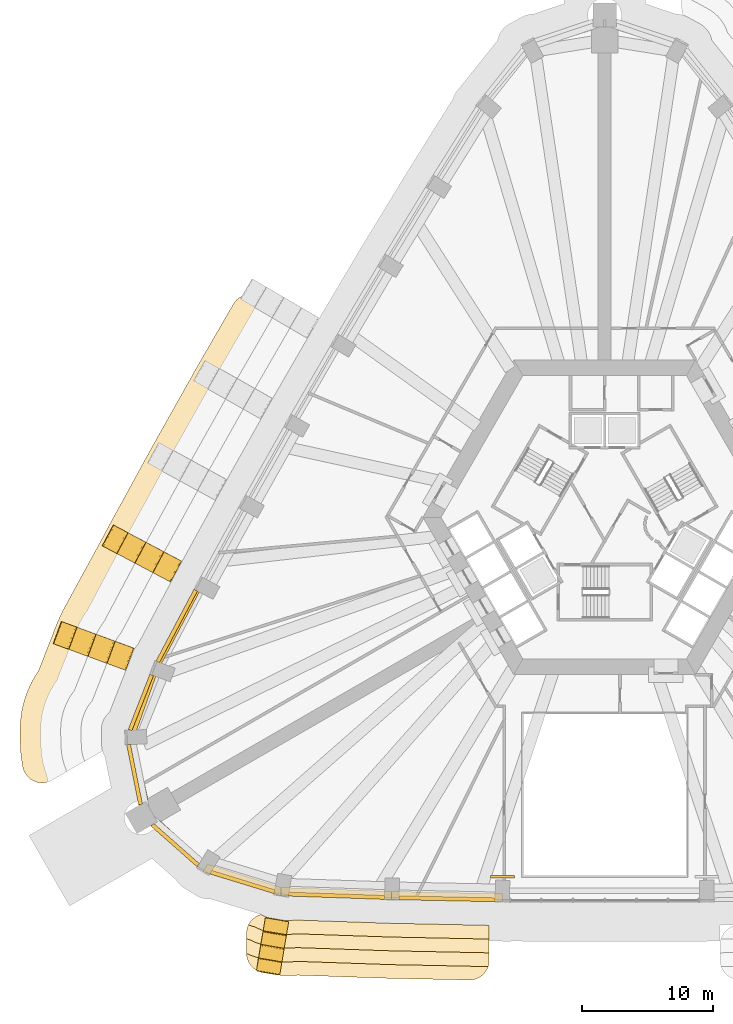
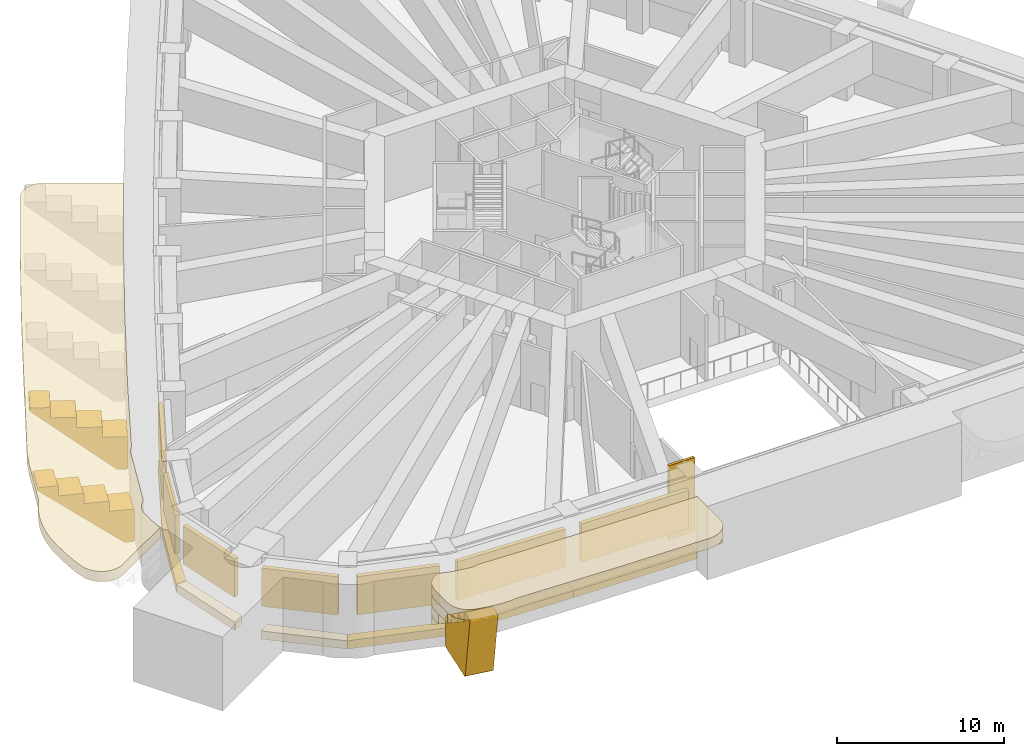
# One storey, part 13 of 20: 16 coverings, 7 shading devices.
"""IFC4 building model written with IfcOpenShell, lengths in metres."""

from ifc_helpers import new_model, si_unit, direction, frame, origin, origin_2d, place, context, subcontext, project, spatial, polyline, rectangle, outline, extrude, material, layer, layer_set, type_object, element, save


model = new_model("IFC4")

# Units and contexts
model_context = context("Model", 3, precision=1e-05, world=origin(), true_north=direction((0.0, 1.0)))
body_context = subcontext(model_context, "Body", "Model", "MODEL_VIEW")
ifc_project = project(units=[si_unit("LENGTHUNIT", "METRE"), si_unit("AREAUNIT", "SQUARE_METRE"), si_unit("VOLUMEUNIT", "CUBIC_METRE"), si_unit("PLANEANGLEUNIT", "RADIAN"), si_unit("MASSUNIT", "GRAM", prefix="KILO")], contexts=[model_context])

# Site, building, storey
site_placement = place(None, origin())
site = spatial("IfcSite", under=ifc_project, at=site_placement, CompositionType="ELEMENT")
building_placement = place(site_placement, origin())
building = spatial("IfcBuilding", under=site, at=building_placement, Name="Entoto Arch Interchange Tower", CompositionType="ELEMENT")
storey_placement = place(building_placement, frame((0.0, 0.0, 184.39990234375)))
storey = spatial("IfcBuildingStorey", under=building, at=storey_placement, Name="L41", CompositionType="ELEMENT", Elevation=184.39990234375)

# Shading devices
ifc_material_1 = material(Name="Aluminium, anodised", Category="aluminium")
ifc_layer = layer(ifc_material_1, 0.300048828125)
ifc_layer_set = layer_set([ifc_layer], Name="Aluminium, anodised")
shading_device_type = type_object("IfcShadingDeviceType", Name="PLANT LOUVRE ALUMINIUM", PredefinedType="JALOUSIE", material=ifc_layer_set)
shading_device_1_placement = place(storey_placement, frame((-20.43408203125, -26.35205078125, 1.2001953125), z_axis=(0.0, 0.0, 1.0), x_axis=(0.999411360835, -0.034306440137, 0.0)))
element("IfcShadingDevice", 1, at=shading_device_1_placement, inside=storey, type_object=shading_device_type, Name="Plant louvre S-01 L41", PredefinedType="JALOUSIE", context=body_context, shape_type="SweptSolid", body=[
    extrude(rectangle(XDim=7.31591796875, YDim=0.300048828125, at=origin_2d()), origin(), (0.0, 0.0, 1.0), 2.800048828125),
])
shading_device_2_placement = place(storey_placement, frame((-12.013916015625, -26.58203125, 1.2001953125), z_axis=(0.0, 0.0, 1.0), x_axis=(0.999796471292, -0.020174637336, 0.0)))
element("IfcShadingDevice", 2, at=shading_device_2_placement, inside=storey, type_object=shading_device_type, Name="Plant louvre S-02 L41", PredefinedType="JALOUSIE", context=body_context, shape_type="SweptSolid", body=[
    extrude(rectangle(XDim=7.333984375, YDim=0.300048828125, at=origin_2d()), origin(), (0.0, 0.0, 1.0), 2.800048828125),
])
shading_device_3_placement = place(storey_placement, frame((-32.6201171875, -5.784912109375, 1.2001953125), z_axis=(0.0, 0.0, 1.0), x_axis=(-0.468685449433, -0.88336512807, 0.0)))
element("IfcShadingDevice", 3, at=shading_device_3_placement, inside=storey, type_object=shading_device_type, Name="Plant louvre NW-07 L41", PredefinedType="JALOUSIE", context=body_context, shape_type="SweptSolid", body=[
    extrude(rectangle(XDim=6.18310546875, YDim=0.300048828125, at=origin_2d()), origin(), (0.0, 0.0, 1.0), 2.800048828125),
])
shading_device_4_placement = place(storey_placement, frame((-35.35400390625, -11.616943359375, 1.2001953125), z_axis=(0.0, 0.0, 1.0), x_axis=(-0.36481178349, -0.931081286799, 0.0)))
element("IfcShadingDevice", 4, at=shading_device_4_placement, inside=storey, type_object=shading_device_type, Name="Plant louvre SW-01 L41", PredefinedType="JALOUSIE", context=body_context, shape_type="SweptSolid", body=[
    extrude(rectangle(XDim=4.511962890625, YDim=0.300048828125, at=origin_2d()), origin(), (0.0, 0.0, 1.0), 2.800048828125),
])
shading_device_5_placement = place(storey_placement, frame((-35.8349609375, -17.10205078125, 1.2001953125), z_axis=(0.0, 0.0, 1.0), x_axis=(0.197486247774, -0.980305657405, 0.0)))
element("IfcShadingDevice", 5, at=shading_device_5_placement, inside=storey, type_object=shading_device_type, Name="Plant louvre SW-02 L41", PredefinedType="JALOUSIE", context=body_context, shape_type="SweptSolid", body=[
    extrude(rectangle(XDim=4.658935546875, YDim=0.300048828125, at=origin_2d()), origin(), (0.0, 0.0, 1.0), 2.800048828125),
])
shading_device_6_placement = place(storey_placement, frame((-32.72802734375, -22.48291015625, 1.2001953125), z_axis=(0.0, 0.0, 1.0), x_axis=(0.750238018569, -0.66116784215, 0.0)))
element("IfcShadingDevice", 6, at=shading_device_6_placement, inside=storey, type_object=shading_device_type, Name="Plant louvre SW-03 L41", PredefinedType="JALOUSIE", context=body_context, shape_type="SweptSolid", body=[
    extrude(rectangle(XDim=4.659912109375, YDim=0.300048828125, at=origin_2d()), origin(), (0.0, 0.0, 1.0), 2.800048828125),
])
shading_device_7_placement = place(storey_placement, frame((-27.595947265625, -25.300048828125, 1.2001953125), z_axis=(0.0, 0.0, 1.0), x_axis=(0.955895596002, -0.293706672624, 0.0)))
element("IfcShadingDevice", 7, at=shading_device_7_placement, inside=storey, type_object=shading_device_type, Name="Plant louvre SW-04 L41", PredefinedType="JALOUSIE", context=body_context, shape_type="SweptSolid", body=[
    extrude(rectangle(XDim=5.070068359375, YDim=0.300048828125, at=origin_2d()), origin(), (0.0, 0.0, 1.0), 2.800048828125),
])

# Coverings
ifc_material_2 = material(Name="Board-marked precast concrete C50/60", Category="concrete")
covering_type_1 = type_object("IfcCoveringType", Name="PRECAST FRAME COURSE", PredefinedType="CLADDING", material=ifc_material_2)
covering_1_placement = place(storey_placement, frame((0.0, 0.0, 4.050048828125)))
element("IfcCovering", 8, at=covering_1_placement, inside=storey, type_object=covering_type_1, Name="Cantilever cornice L41 1", PredefinedType="CLADDING", context=body_context, shape_type="SweptSolid", body=[
    extrude(outline(polyline([(-8.830078125, -31.56689453125), (-8.865966796875, -31.7119140625), (-8.9169921875, -31.85205078125), (-8.98193359375, -31.987060546875), (-9.05908203125, -32.114013671875), (-9.14892578125, -32.23291015625), (-9.25, -32.343017578125), (-9.362060546875, -32.44189453125), (-9.48291015625, -32.529052734375), (-9.612060546875, -32.60400390625), (-9.748046875, -32.666015625), (-9.888916015625, -32.714111328125), (-10.033935546875, -32.7470703125), (-10.181884765625, -32.76611328125), (-10.3310546875, -32.77099609375), (-15.702880859375, -32.658935546875), (-15.717041015625, -32.658935546875), (-15.73095703125, -32.658935546875), (-15.837890625, -32.660888671875), (-15.912109375, -32.659912109375), (-16.424072265625, -32.64404296875), (-16.972900390625, -32.626953125), (-16.97509765625, -32.6259765625), (-16.989990234375, -32.6259765625), (-16.991943359375, -32.6259765625), (-23.360107421875, -32.406005859375), (-23.402099609375, -32.404052734375), (-23.443115234375, -32.406982421875), (-23.888916015625, -32.44189453125), (-24.035888671875, -32.446044921875), (-24.47802734375, -32.43603515625), (-24.625, -32.426025390625), (-24.791015625, -32.406005859375), (-25.09912109375, -32.367919921875), (-25.172119140625, -32.35791015625), (-26.054931640625, -32.20703125), (-26.201904296875, -32.175048828125), (-26.343994140625, -32.126953125), (-26.48095703125, -32.06591796875), (-26.612060546875, -31.991943359375), (-26.73388671875, -31.905029296875), (-26.846923828125, -31.805908203125), (-26.948974609375, -31.696044921875), (-27.0400390625, -31.575927734375), (-27.118896484375, -31.448974609375), (-27.18408203125, -31.31298828125), (-27.236083984375, -31.172119140625), (-27.27294921875, -31.027099609375), (-27.294921875, -30.87890625), (-27.302978515625, -30.72900390625), (-27.302978515625, -29.218994140625), (-27.2958984375, -29.076904296875), (-27.27587890625, -28.93603515625), (-27.241943359375, -28.797119140625), (-27.196044921875, -28.6630859375), (-27.136962890625, -28.532958984375), (-27.06591796875, -28.409912109375), (-26.98388671875, -28.2939453125), (-26.89111328125, -28.18603515625), (-26.7880859375, -28.0869140625), (-26.676025390625, -27.9990234375), (-26.556884765625, -27.922119140625), (-26.429931640625, -27.85595703125), (-26.298095703125, -27.802978515625), (-26.221923828125, -27.780029296875), (-26.197998046875, -27.77197265625), (-26.22802734375, -27.760986328125), (-26.193115234375, -27.77197265625), (-26.169921875, -27.7880859375), (-26.01611328125, -27.875), (-25.85400390625, -27.946044921875), (-25.68603515625, -28.0009765625), (-25.513916015625, -28.0390625), (-24.429931640625, -28.22412109375), (-24.25390625, -28.2451171875), (-24.077880859375, -28.2490234375), (-23.90087890625, -28.235107421875), (-23.72802734375, -28.205078125), (-23.68310546875, -28.19189453125), (-16.845947265625, -28.427978515625), (-16.841064453125, -28.428955078125), (-16.291015625, -28.446044921875), (-15.740966796875, -28.464111328125), (-15.576904296875, -28.4609375), (-8.800048828125, -28.60205078125), (-8.800048828125, -28.638916015625), (-8.800048828125, -31.27099609375), (-8.806884765625, -31.419921875), (-8.830078125, -31.56689453125)])), origin(), (0.0, 0.0, 1.0), 0.75),
])
covering_2_placement = place(storey_placement, frame((0.0, 0.0, 3.300048828125)))
element("IfcCovering", 9, at=covering_2_placement, inside=storey, type_object=covering_type_1, Name="Cantilever cornice L41 2", PredefinedType="CLADDING", context=body_context, shape_type="SweptSolid", body=[
    extrude(outline(polyline([(-8.830078125, -31.56689453125), (-8.865966796875, -31.7119140625), (-8.8798828125, -31.7509765625), (-15.681884765625, -31.60888671875), (-15.841064453125, -31.612060546875), (-16.39111328125, -31.594970703125), (-16.94091796875, -31.576904296875), (-16.955078125, -31.576904296875), (-23.45703125, -31.35205078125), (-23.507080078125, -31.361083984375), (-23.990966796875, -31.39794921875), (-24.47705078125, -31.386962890625), (-24.958984375, -31.3291015625), (-26.0439453125, -31.14404296875), (-26.51806640625, -31.0390625), (-26.97998046875, -30.887939453125), (-27.302001953125, -30.74609375), (-27.302978515625, -30.72900390625), (-27.302978515625, -29.218994140625), (-27.2958984375, -29.076904296875), (-27.27587890625, -28.93603515625), (-27.241943359375, -28.797119140625), (-27.196044921875, -28.6630859375), (-27.136962890625, -28.532958984375), (-27.06591796875, -28.409912109375), (-26.98388671875, -28.2939453125), (-26.89111328125, -28.18603515625), (-26.7880859375, -28.0869140625), (-26.676025390625, -27.9990234375), (-26.556884765625, -27.922119140625), (-26.429931640625, -27.85595703125), (-26.298095703125, -27.802978515625), (-26.221923828125, -27.780029296875), (-26.197998046875, -27.77197265625), (-26.22802734375, -27.760986328125), (-26.193115234375, -27.77197265625), (-26.169921875, -27.7880859375), (-26.01611328125, -27.875), (-25.85400390625, -27.946044921875), (-25.68603515625, -28.0009765625), (-25.513916015625, -28.0390625), (-24.429931640625, -28.22412109375), (-24.25390625, -28.2451171875), (-24.077880859375, -28.2490234375), (-23.90087890625, -28.235107421875), (-23.72802734375, -28.205078125), (-23.68310546875, -28.19189453125), (-16.845947265625, -28.427978515625), (-16.841064453125, -28.428955078125), (-16.291015625, -28.446044921875), (-15.740966796875, -28.464111328125), (-15.576904296875, -28.4609375), (-8.800048828125, -28.60205078125), (-8.800048828125, -28.638916015625), (-8.800048828125, -31.27099609375), (-8.806884765625, -31.419921875), (-8.830078125, -31.56689453125)])), origin(), (0.0, 0.0, 1.0), 0.75),
])
covering_3_placement = place(storey_placement, frame((0.0, 0.0, 2.550048828125)))
element("IfcCovering", 10, at=covering_3_placement, inside=storey, type_object=covering_type_1, Name="Cantilever cornice L41 3", PredefinedType="CLADDING", context=body_context, shape_type="SweptSolid", body=[
    extrude(outline(polyline([(-27.2958984375, -29.076904296875), (-27.27587890625, -28.93603515625), (-27.241943359375, -28.797119140625), (-27.196044921875, -28.6630859375), (-27.136962890625, -28.532958984375), (-27.06591796875, -28.409912109375), (-26.98388671875, -28.2939453125), (-26.89111328125, -28.18603515625), (-26.7880859375, -28.0869140625), (-26.676025390625, -27.9990234375), (-26.556884765625, -27.922119140625), (-26.429931640625, -27.85595703125), (-26.298095703125, -27.802978515625), (-26.221923828125, -27.780029296875), (-26.197998046875, -27.77197265625), (-26.22802734375, -27.760986328125), (-26.193115234375, -27.77197265625), (-26.169921875, -27.7880859375), (-26.01611328125, -27.875), (-25.85400390625, -27.946044921875), (-25.68603515625, -28.0009765625), (-25.513916015625, -28.0390625), (-24.429931640625, -28.22412109375), (-24.25390625, -28.2451171875), (-24.077880859375, -28.2490234375), (-23.90087890625, -28.235107421875), (-23.72802734375, -28.205078125), (-23.68310546875, -28.19189453125), (-16.845947265625, -28.427978515625), (-16.841064453125, -28.428955078125), (-16.291015625, -28.446044921875), (-15.740966796875, -28.464111328125), (-15.576904296875, -28.4609375), (-8.800048828125, -28.60205078125), (-8.800048828125, -28.638916015625), (-8.800048828125, -30.701904296875), (-15.64697265625, -30.56005859375), (-15.80810546875, -30.56201171875), (-16.35791015625, -30.544921875), (-16.907958984375, -30.528076171875), (-16.91796875, -30.527099609375), (-23.52490234375, -30.299072265625), (-23.638916015625, -30.319091796875), (-24.02001953125, -30.347900390625), (-24.403076171875, -30.340087890625), (-24.782958984375, -30.2939453125), (-25.866943359375, -30.10888671875), (-26.240966796875, -30.02587890625), (-26.60498046875, -29.906982421875), (-26.955078125, -29.7529296875), (-27.027099609375, -29.7119140625), (-27.302978515625, -29.6279296875), (-27.302978515625, -29.218994140625), (-27.2958984375, -29.076904296875)])), origin(), (0.0, 0.0, 1.0), 0.75),
])
covering_4_placement = place(storey_placement, frame((0.0, 0.0, 1.800048828125)))
element("IfcCovering", 11, at=covering_4_placement, inside=storey, type_object=covering_type_1, Name="Cantilever cornice L41 4", PredefinedType="CLADDING", context=body_context, shape_type="SweptSolid", body=[
    extrude(outline(polyline([(-27.06591796875, -28.409912109375), (-26.98388671875, -28.2939453125), (-26.89111328125, -28.18603515625), (-26.7880859375, -28.0869140625), (-26.676025390625, -27.9990234375), (-26.556884765625, -27.922119140625), (-26.429931640625, -27.85595703125), (-26.298095703125, -27.802978515625), (-26.221923828125, -27.780029296875), (-26.197998046875, -27.77197265625), (-26.22802734375, -27.760986328125), (-26.193115234375, -27.77197265625), (-26.169921875, -27.7880859375), (-26.01611328125, -27.875), (-25.85400390625, -27.946044921875), (-25.68603515625, -28.0009765625), (-25.513916015625, -28.0390625), (-24.429931640625, -28.22412109375), (-24.25390625, -28.2451171875), (-24.077880859375, -28.2490234375), (-23.90087890625, -28.235107421875), (-23.72802734375, -28.205078125), (-23.68310546875, -28.19189453125), (-16.845947265625, -28.427978515625), (-16.841064453125, -28.428955078125), (-16.291015625, -28.446044921875), (-15.740966796875, -28.464111328125), (-15.576904296875, -28.4609375), (-8.800048828125, -28.60205078125), (-8.800048828125, -28.638916015625), (-8.800048828125, -29.652099609375), (-15.612060546875, -29.510009765625), (-15.77490234375, -29.512939453125), (-16.323974609375, -29.49609375), (-16.8740234375, -29.47802734375), (-16.882080078125, -29.47802734375), (-23.593017578125, -29.24609375), (-23.77001953125, -29.277099609375), (-24.049072265625, -29.298095703125), (-24.327880859375, -29.2919921875), (-24.60595703125, -29.259033203125), (-25.69091796875, -29.073974609375), (-25.964111328125, -29.012939453125), (-26.22900390625, -28.926025390625), (-26.485107421875, -28.81396484375), (-26.615966796875, -28.739990234375), (-27.156005859375, -28.573974609375), (-27.136962890625, -28.532958984375), (-27.06591796875, -28.409912109375)])), origin(), (0.0, 0.0, 1.0), 0.75),
])
covering_5_placement = place(storey_placement, frame((-26.028076171875, -29.01611328125, 1.800048828125), z_axis=(-0.98573684568, 0.168266301807, 0.003053317114), x_axis=(0.002791352659, -0.001793354582, 0.9999944961)))
element("IfcCovering", 12, at=covering_5_placement, inside=storey, type_object=covering_type_1, Name="Fold rib S01 L41", PredefinedType="CLADDING", context=body_context, shape_type="SweptSolid", body=[
    extrude(outline(polyline([(0.0, 0.0), (0.6149913267832242, 0.0), (0.6570002596139647, -0.01093948003192714), (0.6831399412697133, -0.025116123555174487), (0.7061132553909412, -0.0433880927962308), (0.725186664820534, -0.06555676108602859), (0.7391353842566228, -0.09187020350603756), (0.7472280199359218, -0.12039826613656289), (0.750197138121374, -0.14872757523443927), (0.7513656462419149, -1.049557810305099), (1.3663596989554705, -1.0493934833018117), (1.4083641545330454, -1.0595346536737769), (1.4345058806365425, -1.0735880519445584), (1.4675031558112412, -1.1030053441261316), (1.4905017614541605, -1.140582791061234), (1.4985946407853339, -1.1688291127751251), (1.501562102880706, -1.1983264672903604), (1.5027315856087442, -2.0980297386944833), (2.1177256383222995, -2.0978654116911954), (2.1597322830534176, -2.109209877892223), (2.185872939316663, -2.1222595577489334), (2.2088473232781425, -2.141535245404061), (2.2279186882599866, -2.1638271589463245), (2.247011404287145, -2.2032586176903233), (2.2529291615608265, -2.246997973094735), (2.2538651346155953, -2.9693009760144338), (2.2509749100504632, -2.997637891079694), (2.237112763581963, -3.0392780658825362), (2.221028167293057, -3.063746297309709), (2.1890843936487823, -3.093247888963116), (2.164199940125691, -3.106363804119124), (2.1361339891721136, -3.1156743742719573), (2.1070884199918045, -3.119562633846564), (2.0780305915516553, -3.116712436778426), (-2.272816989869601, -2.368681965121712), (-2.30090361038591, -2.3608119083219874), (-2.3280212616049614, -2.347522836960695), (-2.351970695020578, -2.3294927945466815), (-2.3710442491559656, -2.3059975851753567), (-2.3901387165059584, -2.2656034897681083), (-2.397034100744989, -2.2208616836108557), (-2.4010414161179847, 0.8671809249879004), (-2.3981484656225214, 0.895682167056448), (-2.3901301968373367, 0.9238261599281781), (-2.3762474760388597, 0.950416389859071), (-2.3572331131419073, 0.9727577421893274), (-2.3343075609009762, 0.9911303732590432), (-2.308204162294348, 1.0052105096548392), (-2.280383032104628, 1.0144796811415422), (-2.25133396027865, 1.016442667389651), (-0.15122634843905383, 1.0193975069766126), (-0.1221712459292361, 1.016382982905187), (-0.09432764538091007, 1.0083130317751643), (-0.06818591927741295, 0.9942596335043826), (-0.03518864410271428, 0.9648423413228099), (-0.012190038459794885, 0.9272648943877072), (-0.0021268284883239445, 0.8845698953692995), (0.0, 0.0)])), origin(), (0.0, 0.0, -1.0), 1.800048828125),
])
covering_6_placement = place(storey_placement, frame((0.0, 0.0, 4.050048828125)))
element("IfcCovering", 13, at=covering_6_placement, inside=storey, type_object=covering_type_1, Name="Cantilever cornice nw-L41 1", PredefinedType="CLADDING", context=body_context, shape_type="SweptSolid", body=[
    extrude(outline(polyline([(-42.262939453125, -17.610107421875), (-42.39697265625, -17.6640625), (-42.534912109375, -17.7041015625), (-42.677001953125, -17.73095703125), (-42.820068359375, -17.743896484375), (-42.965087890625, -17.742919921875), (-43.10791015625, -17.72900390625), (-43.2490234375, -17.699951171875), (-43.386962890625, -17.658935546875), (-43.52099609375, -17.60400390625), (-43.64794921875, -17.535888671875), (-43.76904296875, -17.45703125), (-43.881103515625, -17.366943359375), (-43.98388671875, -17.26611328125), (-44.076904296875, -17.156005859375), (-44.158935546875, -17.037109375), (-44.22900390625, -16.910888671875), (-44.287109375, -16.779052734375), (-44.3310546875, -16.64208984375), (-44.363037109375, -16.5009765625), (-44.470947265625, -15.873046875), (-44.489013671875, -15.72705078125), (-44.51904296875, -15.324951171875), (-44.5390625, -15.054931640625), (-44.5419921875, -14.98095703125), (-44.547119140625, -14.779052734375), (-44.56689453125, -13.955078125), (-44.56689453125, -13.881103515625), (-44.552978515625, -13.323974609375), (-44.550048828125, -13.20703125), (-44.5390625, -13.06005859375), (-44.4990234375, -12.738037109375), (-44.4609375, -12.427001953125), (-44.43603515625, -12.281982421875), (-44.2958984375, -11.659912109375), (-44.256103515625, -11.51806640625), (-44.158935546875, -11.221923828125), (-44.055908203125, -10.9130859375), (-44.0029296875, -10.77490234375), (-43.743896484375, -10.193115234375), (-43.677978515625, -10.06103515625), (-43.364013671875, -9.506103515625), (-43.284912109375, -9.382080078125), (-43.19091796875, -9.2490234375), (-43.1650390625, -9.212890625), (-43.14892578125, -9.1708984375), (-42.748046875, -8.14794921875), (-41.950927734375, -6.114013671875), (-41.947998046875, -6.10693359375), (-41.945068359375, -6.10009765625), (-41.802978515625, -5.716064453125), (-41.761962890625, -5.614990234375), (-41.324951171875, -4.653076171875), (-41.27587890625, -4.555908203125), (-39.198974609375, -0.751953125), (-38.3701171875, 0.76708984375), (-38.367919921875, 0.77099609375), (-38.367919921875, 0.77099609375), (-38.365966796875, 0.77392578125), (-37.85205078125, 1.740966796875), (-37.846923828125, 1.7490234375), (-37.806884765625, 1.823974609375), (-37.802978515625, 1.83203125), (-34.952880859375, 7.0390625), (-34.944091796875, 7.053955078125), (-34.93603515625, 7.070068359375), (-34.928955078125, 7.0830078125), (-34.910888671875, 7.116943359375), (-34.39990234375, 8.047119140625), (-34.39697265625, 8.052978515625), (-34.363037109375, 8.113037109375), (-34.360107421875, 8.118896484375), (-31.452880859375, 13.285888671875), (-31.445068359375, 13.301025390625), (-31.43701171875, 13.31591796875), (-31.43408203125, 13.322021484375), (-31.39892578125, 13.386962890625), (-31.083984375, 13.94189453125), (-30.875, 14.30908203125), (-30.8720703125, 14.31396484375), (-30.844970703125, 14.361083984375), (-30.843017578125, 14.365966796875), (-28.30810546875, 18.75), (-28.22802734375, 18.8740234375), (-28.135986328125, 18.989990234375), (-28.032958984375, 19.095947265625), (-27.919921875, 19.19091796875), (-27.798095703125, 19.27490234375), (-27.6689453125, 19.345947265625), (-27.532958984375, 19.405029296875), (-27.39208984375, 19.448974609375), (-27.2470703125, 19.47998046875), (-27.10107421875, 19.49609375), (-26.952880859375, 19.498046875), (-26.805908203125, 19.485107421875), (-26.659912109375, 19.4580078125), (-26.51806640625, 19.416015625), (-26.381103515625, 19.361083984375), (-26.25, 19.29296875), (-25.406005859375, 18.798095703125), (-22.236083984375, 16.93798828125), (-22.205078125, 16.919921875), (-22.48291015625, 16.445068359375), (-22.52392578125, 16.367919921875), (-25.47705078125, 11.260009765625), (-25.48291015625, 11.248046875), (-26.027099609375, 10.2919921875), (-26.054931640625, 10.237060546875), (-28.9580078125, 5.075927734375), (-28.966064453125, 5.06103515625), (-29.49609375, 4.097900390625), (-29.511962890625, 4.06591796875), (-32.365966796875, -1.14892578125), (-32.376953125, -1.16796875), (-32.89306640625, -2.138916015625), (-32.89892578125, -2.152099609375), (-35.570068359375, -7.18310546875), (-35.60205078125, -7.215087890625), (-35.715087890625, -7.35009765625), (-35.81494140625, -7.49609375), (-35.89990234375, -7.65087890625), (-35.968994140625, -7.81298828125), (-36.153076171875, -8.31298828125), (-37.738037109375, -12.35595703125), (-37.7451171875, -12.362060546875), (-37.873046875, -12.48291015625), (-37.989013671875, -12.616943359375), (-38.091064453125, -12.761962890625), (-38.177978515625, -12.9150390625), (-38.2490234375, -13.076904296875), (-38.304931640625, -13.243896484375), (-38.343994140625, -13.4169921875), (-38.364990234375, -13.592041015625), (-38.3701171875, -13.76904296875), (-38.343017578125, -14.867919921875), (-38.330078125, -15.0439453125), (-38.300048828125, -15.218017578125), (-38.27294921875, -15.31494140625), (-38.304931640625, -15.3330078125), (-42.135009765625, -17.5439453125), (-42.262939453125, -17.610107421875)])), origin(), (0.0, 0.0, 1.0), 0.75),
])
covering_7_placement = place(storey_placement, frame((-32.824951171875, -0.532958984375, -0.56494140625), z_axis=(0.469845365628, 0.882743878323, 0.002928767849), x_axis=(0.756254341983, -0.400804831898, -0.51714104165)))
element("IfcCovering", 14, at=covering_7_placement, inside=storey, type_object=covering_type_1, Name="Fold rib NW07 L41", PredefinedType="CLADDING", context=body_context, shape_type="SweptSolid", body=[
    extrude(outline(polyline([(0.0, 0.0), (0.04438157951260185, 3.469446951953614e-18), (0.08728105211192619, -0.013086552796996748), (0.4701696460476448, -0.2444310670098178), (0.5016351334781459, -0.27513746641493986), (0.5219336285496851, -0.314216505107647), (0.5302224589665733, -0.3577326125469572), (0.5265664570268729, -0.401162385509328), (0.5087074134051404, -0.44171658768815114), (-0.5771085464537695, -2.2393426128994425), (-0.5943927889702326, -2.2628405043385946), (-0.6165422406733174, -2.281975742587818), (-0.64144699413506, -2.297450611602948), (-0.6839225643169567, -2.3102935149948625), (-0.7282062910873959, -2.3103533761313857), (-0.7561421456134882, -2.3028829626995173), (-0.7825990702186087, -2.290323241210962), (-1.9557728166576849, -1.5814789877877187), (-2.2741566257293178, -2.107640954468652), (-2.3053994928736317, -2.1378269039506326), (-2.3304020990775367, -2.1532419118292396), (-2.3580763723358933, -2.163332327719308), (-2.402006690521456, -2.167028453714198), (-2.4449993978138025, -2.1587341240623323), (-2.4718477333875732, -2.145934958027685), (-3.669876563120762, -1.4220747809200103), (-3.9883471518579428, -1.948185444376031), (-4.019687871744419, -1.9783115327214889), (-4.045081888916975, -1.9934870960540034), (-4.07282079568765, -2.00354332454238), (-4.1165018479531845, -2.0073848023003977), (-4.160026306315433, -1.9987740953874455), (-4.18595147985065, -1.986530751159977), (-5.384458500218038, -1.2623798262812973), (-5.7031894279518625, -1.78833658006258), (-5.733791618207497, -1.8189073258537802), (-5.759826312268732, -1.833698092877075), (-5.787500585527089, -1.8437885087671435), (-5.8307902268239715, -1.8478694310712531), (-5.87413005277851, -1.839369888519737), (-5.90097838835228, -1.8265707224850893), (-6.746220926396064, -1.3158666284043319), (-6.769398461790235, -1.2984372478373265), (-6.7892507431863285, -1.2770302028279925), (-6.809549238257868, -1.2379511641352852), (-6.81687107761315, -1.2101360744162069), (-6.8181801396853565, -1.1802539761078412), (-6.814182066735055, -1.1510052837336042), (-6.804529607026231, -1.1240334025840535), (-6.789000225160267, -1.0983314720209685), (-6.769740258468234, -1.0774517913904655), (-6.7463346110285345, -1.0587916963480124), (-6.719774521531997, -1.0468820376432304), (-6.691426451547989, -1.0394808871098298), (0.0, 0.0)])), origin(), (0.0, 0.0, -1.0), 1.800048828125),
])
covering_8_placement = place(storey_placement, frame((-36.468994140625, -7.2548828125, -0.56494140625), z_axis=(0.346699669811, 0.937971366333, 0.003009134725), x_axis=(0.806648179262, -0.296518840703, -0.511268317033)))
element("IfcCovering", 15, at=covering_8_placement, inside=storey, type_object=covering_type_1, Name="Fold rib NW08 L41", PredefinedType="CLADDING", context=body_context, shape_type="SweptSolid", body=[
    extrude(outline(polyline([(0.0, 0.0), (0.044881493387051316, 0.0), (0.08692225256319869, -0.01222386753096635), (0.4446263496916354, -0.22502546320393052), (0.466760921431619, -0.24387513646625567), (0.4842704762254151, -0.268493304006235), (0.5011729385763224, -0.30865982442974), (0.5053016859732888, -0.351739347379346), (0.49706448257609864, -0.3957027431279079), (0.4848635362350444, -0.4222489292614562), (-0.5886879277234635, -2.2272241494675673), (-0.6063914021912684, -2.2504978648060154), (-0.6277916844096679, -2.2701511838770534), (-0.6533023307127498, -2.285370018800301), (-0.6955719566170752, -2.298574742544967), (-0.7395006817567386, -2.29914466629472), (-0.7682507859192668, -2.291415364513816), (-0.7945765769767098, -2.279163016776831), (-1.9715620352920982, -1.578975373902081), (-2.2864852305948467, -2.107215775175477), (-2.317259533859335, -2.137767467450494), (-2.342211283096309, -2.1533225040645347), (-2.3706171018089206, -2.163125535052187), (-2.4139816938500065, -2.1674405005543673), (-2.4573566738934662, -2.1592509887485694), (-2.4836824649509093, -2.146998641011584), (-3.686935130944585, -1.4311785731335094), (-4.002356499429521, -1.9591270028180359), (-4.033058410398915, -1.9897225632253148), (-4.058010159635889, -2.005277599839356), (-4.086415978348501, -2.015080630827008), (-4.1297805703895865, -2.019395596329188), (-4.17322794272814, -2.011162216391128), (-4.199646367375317, -1.9988512571545731), (-5.402537071893525, -1.2832505299378107), (-5.718155375969101, -1.8110820985928564), (-5.748857286938495, -1.841677659000136), (-5.774170997650937, -1.8570133549528642), (-5.8012301769348795, -1.867620031749229), (-5.8448640968617, -1.8717742680896667), (-5.88804214131452, -1.8637016173133487), (-5.915445243914897, -1.8508063529293937), (-6.761978490733338, -1.3472035755768834), (-6.785899375767586, -1.3295650048353433), (-6.814086075549994, -1.2951825476005663), (-6.826085835625588, -1.2695792151432248), (-6.833888862280335, -1.2405045859951227), (-6.835314220888509, -1.211819643197975), (-6.831479427511406, -1.1825691721431424), (-6.82121592737094, -1.1548687571124412), (-6.80636218476183, -1.1299003758617032), (-6.787404982526007, -1.1076545060594531), (-6.7642447826157674, -1.0899017319045625), (-6.738064867000453, -1.0776377545824847), (-6.709082134494425, -1.070448158469378), (0.0, 0.0)])), origin(), (0.0, 0.0, -1.0), 1.800048828125),
])
covering_9_placement = place(storey_placement, frame((0.0, 0.0, -0.599853515625)))
element("IfcCovering", 16, at=covering_9_placement, inside=storey, type_object=covering_type_1, Name="Gate pier L41", PredefinedType="CLADDING", context=body_context, shape_type="SweptSolid", body=[
    extrude(outline(polyline([(-8.68896484375, -24.81689453125), (-6.888916015625, -24.81689453125), (-6.888916015625, -24.9990234375), (-8.68896484375, -24.9990234375), (-8.68896484375, -24.81689453125)])), origin(), (0.0, 0.0, 1.0), 5.39990234375),
])
covering_type_2 = type_object("IfcCoveringType", Name="PRECAST LEDGE COURSE", PredefinedType="CLADDING", material=ifc_material_2)
covering_10_placement = place(storey_placement, frame((0.0, 0.0, -1.199951171875)))
element("IfcCovering", 17, at=covering_10_placement, inside=storey, type_object=covering_type_2, Name="Precast course S-01 L41", PredefinedType="CLADDING", context=body_context, shape_type="SweptSolid", body=[
    extrude(outline(polyline([(-16.23388671875, -26.012939453125), (-16.23388671875, -26.64697265625), (-24.6689453125, -26.35693359375), (-24.6689453125, -25.7119140625), (-16.23388671875, -26.012939453125)])), origin(), (0.0, 0.0, 1.0), 0.60009765625),
])
covering_11_placement = place(storey_placement, frame((0.0, 0.0, -1.199951171875)))
element("IfcCovering", 18, at=covering_11_placement, inside=storey, type_object=covering_type_2, Name="Precast course S-02 L41", PredefinedType="CLADDING", context=body_context, shape_type="SweptSolid", body=[
    extrude(outline(polyline([(-7.800048828125, -26.18896484375), (-7.800048828125, -26.81689453125), (-16.23388671875, -26.64697265625), (-16.23388671875, -26.012939453125), (-7.800048828125, -26.18896484375)])), origin(), (0.0, 0.0, 1.0), 0.60009765625),
])
covering_12_placement = place(storey_placement, frame((0.0, 0.0, -1.199951171875)))
element("IfcCovering", 19, at=covering_12_placement, inside=storey, type_object=covering_type_2, Name="Precast course NW-07 L41", PredefinedType="CLADDING", context=body_context, shape_type="SweptSolid", body=[
    extrude(outline(polyline([(-34.027099609375, -9.116943359375), (-34.470947265625, -8.952880859375), (-31.0458984375, -2.4990234375), (-30.64111328125, -2.715087890625), (-34.027099609375, -9.116943359375)])), origin(), (0.0, 0.0, 1.0), 0.60009765625),
])
covering_13_placement = place(storey_placement, frame((0.0, 0.0, -1.199951171875)))
element("IfcCovering", 20, at=covering_13_placement, inside=storey, type_object=covering_type_2, Name="Precast course SW-01 L41", PredefinedType="CLADDING", context=body_context, shape_type="SweptSolid", body=[
    extrude(outline(polyline([(-35.864990234375, -14.258056640625), (-36.556884765625, -14.27490234375), (-34.470947265625, -8.952880859375), (-34.027099609375, -9.116943359375), (-35.864990234375, -14.258056640625)])), origin(), (0.0, 0.0, 1.0), 0.60009765625),
])
covering_14_placement = place(storey_placement, frame((0.0, 0.0, -1.199951171875)))
element("IfcCovering", 21, at=covering_14_placement, inside=storey, type_object=covering_type_2, Name="Precast course SW-02 L41", PredefinedType="CLADDING", context=body_context, shape_type="SweptSolid", body=[
    extrude(outline(polyline([(-34.802978515625, -19.053955078125), (-35.511962890625, -19.462890625), (-36.556884765625, -14.27490234375), (-35.864990234375, -14.258056640625), (-34.802978515625, -19.053955078125)])), origin(), (0.0, 0.0, 1.0), 0.60009765625),
])
covering_15_placement = place(storey_placement, frame((0.0, 0.0, -1.199951171875)))
element("IfcCovering", 22, at=covering_15_placement, inside=storey, type_object=covering_type_2, Name="Precast course SW-03 L41", PredefinedType="CLADDING", context=body_context, shape_type="SweptSolid", body=[
    extrude(outline(polyline([(-30.281005859375, -23.930908203125), (-30.64111328125, -24.52197265625), (-34.612060546875, -21.02197265625), (-33.903076171875, -20.612060546875), (-30.281005859375, -23.930908203125)])), origin(), (0.0, 0.0, 1.0), 0.60009765625),
])
covering_16_placement = place(storey_placement, frame((0.0, 0.0, -1.199951171875)))
element("IfcCovering", 23, at=covering_16_placement, inside=storey, type_object=covering_type_2, Name="Precast course SW-04 L41", PredefinedType="CLADDING", context=body_context, shape_type="SweptSolid", body=[
    extrude(outline(polyline([(-24.6689453125, -25.7119140625), (-24.6689453125, -26.35693359375), (-30.64111328125, -24.52197265625), (-30.281005859375, -23.930908203125), (-24.6689453125, -25.7119140625)])), origin(), (0.0, 0.0, 1.0), 0.60009765625),
])

save(model, "model.ifc")
